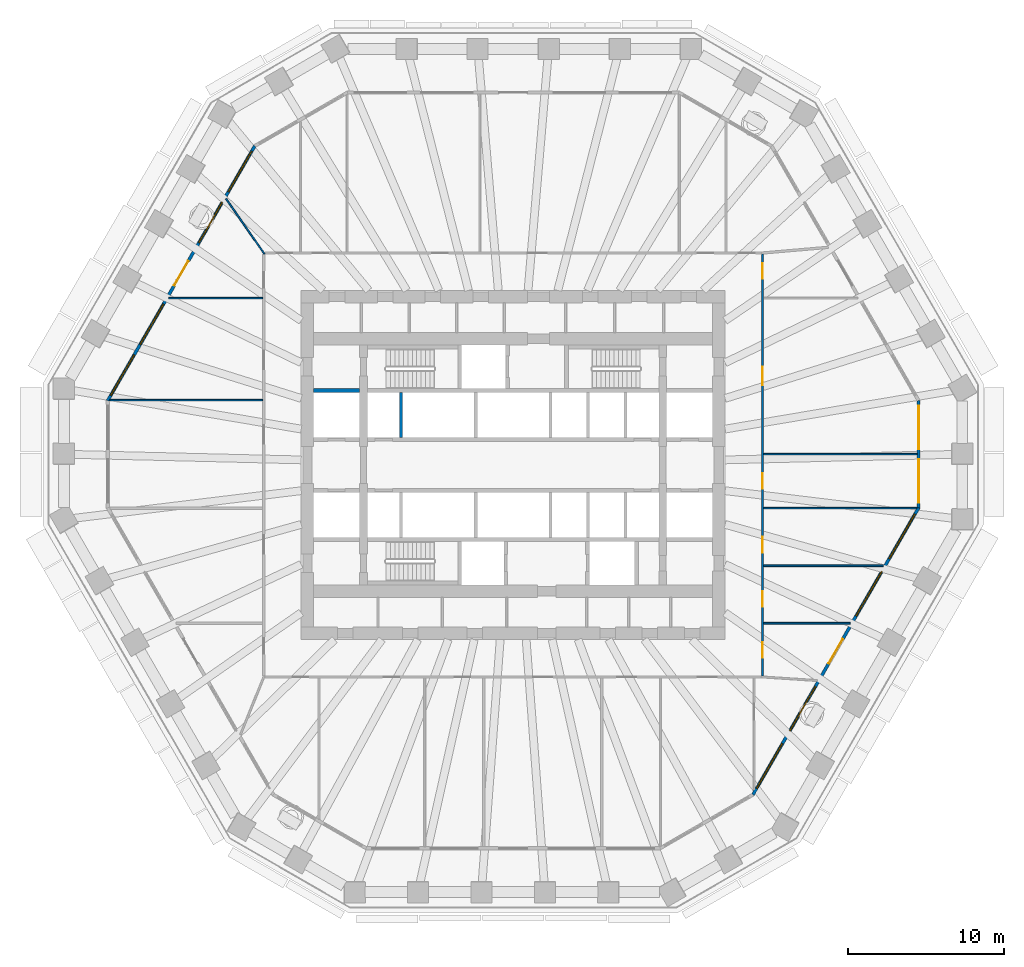
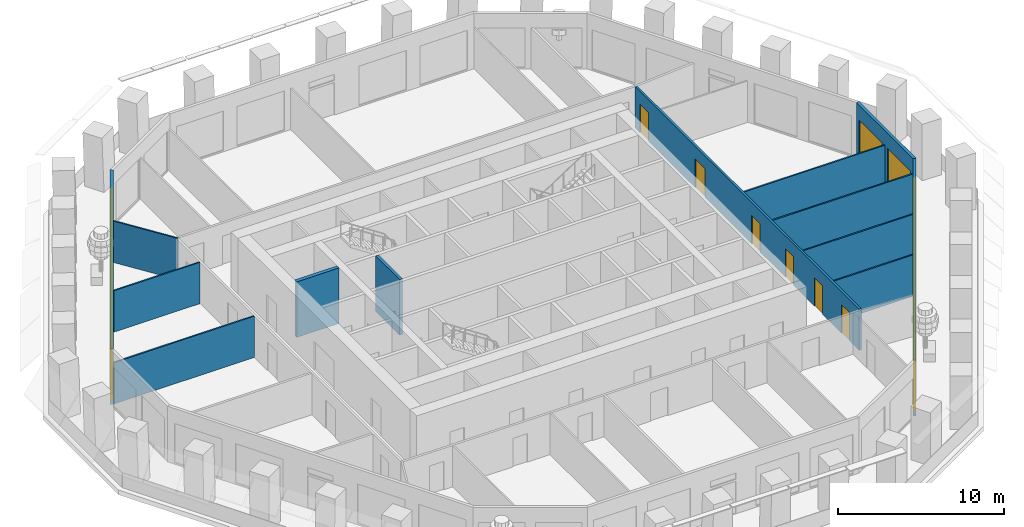
# One storey, part 6 of 13: 13 walls, 12 windows, 8 doors, 20 openings.
"""IFC4 building model written with IfcOpenShell, lengths in metres."""

import ifcopenshell
import ifcopenshell.guid

model = None  # the IFC model being written
_history = None  # IfcOwnerHistory: only IFC2X3 demands one
_inside = {}  # id of a spatial element -> (the spatial element, [elements in it])
_under = {}  # id of a project, library or spatial element -> (it, [spatial elements below it])
_declared = {}  # id of a project -> (the project, [libraries it declares])
_typed = {}  # id of a type object -> (the type object, [elements of that type])
_made_of = {}  # id of a material, layer set ... -> (it, [elements and type objects made of it])


def new_model(schema):
    """Start an empty IFC model of exactly this schema.

    Asked for "IFC4X3", IfcOpenShell would pick the latest addendum, in which some entities
    have other attributes; the version numbers below select the first issue.
    IFC2X3 requires an IfcOwnerHistory on every rooted entity: one is made here for all.
    """
    global model, _history
    if schema == "IFC4X3":
        model = ifcopenshell.file(schema_version=(4, 3, 0, 0))
    else:
        model = ifcopenshell.file(schema=schema)
    _inside.clear()
    _under.clear()
    _declared.clear()
    _typed.clear()
    _made_of.clear()
    _history = None
    if model.schema == "IFC2X3":
        org = make("IfcOrganization", Name="unknown")
        user = make(
            "IfcPersonAndOrganization",
            ThePerson=make("IfcPerson", FamilyName="unknown"),
            TheOrganization=org,
        )
        app = make(
            "IfcApplication",
            ApplicationDeveloper=org,
            Version="unknown",
            ApplicationFullName="unknown",
            ApplicationIdentifier="unknown",
        )
        _history = make(
            "IfcOwnerHistory",
            OwningUser=user,
            OwningApplication=app,
            ChangeAction="ADDED",
            CreationDate=0,
        )
    return model


def make(cls, **values):
    """One entity of the class cls with the attributes given. An attribute that is None is left unset."""
    return model.create_entity(
        cls, **{name: value for name, value in values.items() if value is not None}
    )


def rooted(cls, **values):
    """An entity with a GlobalId (a new one), such as an element, a storey or a relation."""
    return make(cls, GlobalId=ifcopenshell.guid.new(), OwnerHistory=_history, **values)


def si_unit(unit_type, name, prefix=None):
    """IfcSIUnit, for example si_unit("LENGTHUNIT", "METRE", prefix="MILLI")."""
    return make("IfcSIUnit", UnitType=unit_type, Prefix=prefix, Name=name)


def assignment(units):
    """IfcUnitAssignment: the units of a project."""
    return None if units is None else make("IfcUnitAssignment", Units=units)


def point(xyz):
    """IfcCartesianPoint."""
    return None if xyz is None else make("IfcCartesianPoint", Coordinates=xyz)


def direction(xyz):
    """IfcDirection."""
    return None if xyz is None else make("IfcDirection", DirectionRatios=xyz)


def frame(location, z_axis=None, x_axis=None):
    """IfcAxis2Placement3D, a coordinate frame: its origin and axes. An axis left out is left unset."""
    return make(
        "IfcAxis2Placement3D",
        Location=point(location),
        Axis=direction(z_axis),
        RefDirection=direction(x_axis),
    )


def frame_2d(location, x_axis=None):
    """IfcAxis2Placement2D, a coordinate frame in the plane: its origin and x axis."""
    return make(
        "IfcAxis2Placement2D", Location=point(location), RefDirection=direction(x_axis)
    )


def origin():
    """The frame at (0, 0, 0) with its axes left unset."""
    return frame((0.0, 0.0, 0.0))


def place(relative_to, where):
    """IfcLocalPlacement: puts the frame where relative to a parent placement (None: the world)."""
    return make(
        "IfcLocalPlacement", PlacementRelTo=relative_to, RelativePlacement=where
    )


def context(
    kind, dimensions, precision=None, world=None, true_north=None, identifier=None
):
    """IfcGeometricRepresentationContext, for example the 3D "Model" context."""
    return make(
        "IfcGeometricRepresentationContext",
        ContextIdentifier=identifier,
        ContextType=kind,
        CoordinateSpaceDimension=dimensions,
        Precision=precision,
        WorldCoordinateSystem=world,
        TrueNorth=true_north,
    )


def subcontext(parent, identifier, kind, view, scale=None):
    """IfcGeometricRepresentationSubContext, for example "Body" below "Model"."""
    return make(
        "IfcGeometricRepresentationSubContext",
        ContextIdentifier=identifier,
        ContextType=kind,
        ParentContext=parent,
        TargetScale=scale,
        TargetView=view,
    )


def project(units=None, contexts=None):
    """IfcProject with its units and contexts."""
    return rooted(
        "IfcProject",
        Name="project",
        RepresentationContexts=contexts,
        UnitsInContext=assignment(units),
    )


def spatial(cls, under=None, at=None, **own):
    """A site, building, storey or space (cls), placed at a placement, below another one or the project."""
    s = rooted(cls, ObjectPlacement=at, **own)
    if under is not None:
        _under.setdefault(under.id(), (under, []))[1].append(s)
    return s


def polyline(points):
    """IfcPolyline through the points."""
    return make("IfcPolyline", Points=[point(p) for p in points])


def profile(cls, at=None, kind="AREA", **sizes):
    """A parametric profile (cls). Its sizes go by their IFC names, for example OverallWidth=200.0."""
    return make(cls, ProfileType=kind, Position=at, **sizes)


def rectangle(**sizes):
    """IfcRectangleProfileDef."""
    return profile("IfcRectangleProfileDef", **sizes)


def outline(outer, holes=None, kind="AREA"):
    """IfcArbitraryClosedProfileDef: a profile drawn as a closed curve; with holes, ...WithVoids."""
    if holes is None:
        return make("IfcArbitraryClosedProfileDef", ProfileType=kind, OuterCurve=outer)
    return make(
        "IfcArbitraryProfileDefWithVoids",
        ProfileType=kind,
        OuterCurve=outer,
        InnerCurves=holes,
    )


def extrude(swept, where, along, depth):
    """IfcExtrudedAreaSolid: the profile swept, set in the frame where, extruded along a direction by depth."""
    return make(
        "IfcExtrudedAreaSolid",
        SweptArea=swept,
        Position=where,
        ExtrudedDirection=direction(along),
        Depth=depth,
    )


def shape(context_of_items, identifier, shape_type, items):
    """IfcShapeRepresentation: the items that make up one representation, for example the "Body"."""
    return make(
        "IfcShapeRepresentation",
        ContextOfItems=context_of_items,
        RepresentationIdentifier=identifier,
        RepresentationType=shape_type,
        Items=items,
    )


def material(Name=None, Category=None):
    """IfcMaterial."""
    return make("IfcMaterial", Name=Name, Category=Category)


def layer(
    of_material, thickness, ventilated=None, Name=None, Category=None, Priority=None
):
    """IfcMaterialLayer: one layer of a wall or slab, of a material (None: an air gap)."""
    return make(
        "IfcMaterialLayer",
        Material=of_material,
        LayerThickness=thickness,
        IsVentilated=ventilated,
        Name=Name,
        Category=Category,
        Priority=Priority,
    )


def layer_set(layers, Name=None):
    """IfcMaterialLayerSet."""
    return make("IfcMaterialLayerSet", MaterialLayers=layers, LayerSetName=Name)


def made_of(thing, what):
    """Note that an element or type object is made of a material, layer set ...; save() writes the relation."""
    if what is not None:
        _made_of.setdefault(what.id(), (what, []))[1].append(thing)
    return thing


def type_object(cls, material=None, **own):
    """A type object (cls), such as IfcWallType, which elements share."""
    return made_of(rooted(cls, **own), material)


def element(
    cls,
    number,
    at=None,
    inside=None,
    cuts=None,
    type_object=None,
    material=None,
    context=None,
    identifier="Body",
    shape_type=None,
    held_by="IfcProductDefinitionShape",
    body=None,
    shapes=None,
    **own,
):
    """One element of the class cls, such as IfcWall. Its Tag is "e" and its number.

    at: its placement. inside: the storey or other place that contains it. cuts: it is an
    opening in that element (IfcRelVoidsElement). A single representation is given by context,
    identifier, shape_type and body (its items); several are given by shapes. held_by: the class
    of the entity that holds the representations. save() writes the other relations.
    """
    e = rooted(cls, Tag="e%d" % number, ObjectPlacement=at, **own)
    if body is not None:
        shapes = [shape(context, identifier, shape_type, body)]
    if shapes is not None:
        e.Representation = make(held_by, Representations=shapes)
    if inside is not None:
        _inside.setdefault(inside.id(), (inside, []))[1].append(e)
    if cuts is not None:
        rooted(
            "IfcRelVoidsElement", RelatingBuildingElement=cuts, RelatedOpeningElement=e
        )
    if type_object is not None:
        _typed.setdefault(type_object.id(), (type_object, []))[1].append(e)
    return made_of(e, material)


def fill(opening, filler):
    """IfcRelFillsElement: the door or window that sits in an opening."""
    return rooted(
        "IfcRelFillsElement",
        RelatingOpeningElement=opening,
        RelatedBuildingElement=filler,
    )


def aggregate(whole, parts):
    """IfcRelAggregates: a whole, such as a stair, and the parts it consists of."""
    return rooted("IfcRelAggregates", RelatingObject=whole, RelatedObjects=parts)


def save(model, path):
    """Write the relations noted so far, then the file.

    IfcRelAggregates (storeys below a building ...), IfcRelContainedInSpatialStructure (elements
    in a storey), IfcRelDefinesByType, IfcRelAssociatesMaterial and IfcRelDeclares: one each for
    every whole, place, type object, material and project.
    """
    for whole, parts in _under.values():
        aggregate(whole, parts)
    for where, things in _inside.values():
        rooted(
            "IfcRelContainedInSpatialStructure",
            RelatedElements=things,
            RelatingStructure=where,
        )
    for kind, things in _typed.values():
        rooted("IfcRelDefinesByType", RelatedObjects=things, RelatingType=kind)
    for what, things in _made_of.values():
        rooted("IfcRelAssociatesMaterial", RelatedObjects=things, RelatingMaterial=what)
    for by, libraries in _declared.values():
        rooted("IfcRelDeclares", RelatingContext=by, RelatedDefinitions=libraries)
    model.write(path)


model = new_model("IFC4")

# Units and contexts
model_context = context("Model", 3, precision=1e-05, world=origin(), true_north=direction((0.0, 1.0)))
body_context = subcontext(model_context, "Body", "Model", "MODEL_VIEW")
ifc_project = project(units=[si_unit("LENGTHUNIT", "METRE"), si_unit("AREAUNIT", "SQUARE_METRE"), si_unit("VOLUMEUNIT", "CUBIC_METRE"), si_unit("PLANEANGLEUNIT", "RADIAN"), si_unit("MASSUNIT", "GRAM", prefix="KILO")], contexts=[model_context])

# Site, building, storey
site_placement = place(None, origin())
site = spatial("IfcSite", under=ifc_project, at=site_placement, CompositionType="ELEMENT")
building_placement = place(site_placement, origin())
building = spatial("IfcBuilding", under=site, at=building_placement, Name="Frailejon Research Tower", CompositionType="ELEMENT")
storey_placement = place(building_placement, frame((0.0, 0.0, 102.800048828125)))
storey = spatial("IfcBuildingStorey", under=building, at=storey_placement, Name="L22", CompositionType="ELEMENT", Elevation=102.800048828125)

# Wall, openings, doors
ifc_material_1 = material(Name="Gypsum board and masonry partition", Category="masonry")
ifc_layer_1 = layer(ifc_material_1, 0.14990234375)
ifc_layer_set_1 = layer_set([ifc_layer_1], Name="Corridor wall EI 60, gypsum on steel studs 150")
wall_type_1 = type_object("IfcWallType", Name="Corridor wall EI 60, gypsum on steel studs 150", PredefinedType="PARTITIONING", material=ifc_layer_set_1)
wall_1_placement = place(storey_placement, frame((16.0, -13.52490234375, 0.0), z_axis=(0.0, 0.0, 1.0), x_axis=(0.0, 1.0, 0.0)))
wall_1 = element("IfcWall", 1, at=wall_1_placement, inside=storey, type_object=wall_type_1, Name="T:IW:L22:001", PredefinedType="PARTITIONING", context=body_context, shape_type="SweptSolid", body=[
    extrude(rectangle(XDim=27.0498046875, YDim=0.14990234375, at=frame_2d((13.52490234375, 0.0))), origin(), (0.0, 0.0, 1.0), 3.050048828125),
])
opening_1_placement = place(wall_1_placement, frame((18.62451171875, 0.0, 0.0)))
opening_1 = element("IfcOpeningElement", 2, at=opening_1_placement, cuts=wall_1, Name="Opening D1575", PredefinedType="OPENING", context=body_context, shape_type="SweptSolid", body=[
    extrude(rectangle(XDim=1.199951171875, YDim=2.10009765625, at=frame_2d((0.60009765625, 1.050048828125))), frame((0.0, 0.0849609375, 0.0), z_axis=(0.0, -1.0, 0.0), x_axis=(1.0, 0.0, 0.0)), (0.0, 0.0, 1.0), 0.169921875),
])
opening_2_placement = place(wall_1_placement, frame((25.476806640625, 0.0, 0.0)))
opening_2 = element("IfcOpeningElement", 3, at=opening_2_placement, cuts=wall_1, Name="Opening D1576", PredefinedType="OPENING", context=body_context, shape_type="SweptSolid", body=[
    extrude(rectangle(XDim=1.0, YDim=2.10009765625, at=frame_2d((0.5, 1.050048828125))), frame((0.0, 0.0849609375, 0.0), z_axis=(0.0, -1.0, 0.0), x_axis=(1.0, 0.0, 0.0)), (0.0, 0.0, 1.0), 0.169921875),
])
opening_3_placement = place(wall_1_placement, frame((1.147705078125, 0.0, 0.0)))
opening_3 = element("IfcOpeningElement", 4, at=opening_3_placement, cuts=wall_1, Name="Opening D1595", PredefinedType="OPENING", context=body_context, shape_type="SweptSolid", body=[
    extrude(rectangle(XDim=1.0, YDim=2.10009765625, at=frame_2d((0.5, 1.050048828125))), frame((0.0, 0.0849609375, 0.0), z_axis=(0.0, -1.0, 0.0), x_axis=(1.0, 0.0, 0.0)), (0.0, 0.0, 1.0), 0.169921875),
])
opening_4_placement = place(wall_1_placement, frame((4.417236328125, 0.0, 0.0)))
opening_4 = element("IfcOpeningElement", 5, at=opening_4_placement, cuts=wall_1, Name="Opening D1596", PredefinedType="OPENING", context=body_context, shape_type="SweptSolid", body=[
    extrude(rectangle(XDim=1.0, YDim=2.10009765625, at=frame_2d((0.5, 1.050048828125))), frame((0.0, 0.0849609375, 0.0), z_axis=(0.0, -1.0, 0.0), x_axis=(1.0, 0.0, 0.0)), (0.0, 0.0, 1.0), 0.169921875),
])
opening_5_placement = place(wall_1_placement, frame((7.9091796875, 0.0, 0.0)))
opening_5 = element("IfcOpeningElement", 6, at=opening_5_placement, cuts=wall_1, Name="Opening D1597", PredefinedType="OPENING", context=body_context, shape_type="SweptSolid", body=[
    extrude(rectangle(XDim=1.0, YDim=2.10009765625, at=frame_2d((0.5, 1.050048828125))), frame((0.0, 0.0849609375, 0.0), z_axis=(0.0, -1.0, 0.0), x_axis=(1.0, 0.0, 0.0)), (0.0, 0.0, 1.0), 0.169921875),
])
opening_6_placement = place(wall_1_placement, frame((11.984375, 0.0, 0.0)))
opening_6 = element("IfcOpeningElement", 7, at=opening_6_placement, cuts=wall_1, Name="Opening D1598", PredefinedType="OPENING", context=body_context, shape_type="SweptSolid", body=[
    extrude(rectangle(XDim=1.0, YDim=2.10009765625, at=frame_2d((0.5, 1.050048828125))), frame((0.0, 0.0849609375, 0.0), z_axis=(0.0, -1.0, 0.0), x_axis=(1.0, 0.0, 0.0)), (0.0, 0.0, 1.0), 0.169921875),
])
ifc_material_2 = material(Name="Timber door leaf", Category="wood")
door_type_1 = type_object("IfcDoorType", Name="Door single leaf, timber, steel frame 1000", OperationType="NOTDEFINED", PredefinedType="DOOR", material=ifc_material_2)
door_1_placement = place(opening_2_placement, origin())
door_1 = element("IfcDoor", 8, at=door_1_placement, inside=storey, type_object=door_type_1, Name="D1576", OperationType="SINGLE_SWING_LEFT", OverallHeight=2.10009765625, OverallWidth=1.0, PredefinedType="DOOR", context=body_context, shape_type="SweptSolid", body=[
    extrude(rectangle(XDim=1.0, YDim=2.10009765625, at=frame_2d((0.5, 1.050048828125))), frame((0.0, 0.02490234375, 0.0), z_axis=(0.0, -1.0, 0.0), x_axis=(1.0, 0.0, 0.0)), (0.0, 0.0, 1.0), 0.050048828125),
])
fill(opening_2, door_1)
door_2_placement = place(opening_3_placement, origin())
door_2 = element("IfcDoor", 9, at=door_2_placement, inside=storey, type_object=door_type_1, Name="D1595", OperationType="SINGLE_SWING_RIGHT", OverallHeight=2.10009765625, OverallWidth=1.0, PredefinedType="DOOR", context=body_context, shape_type="SweptSolid", body=[
    extrude(rectangle(XDim=1.0, YDim=2.10009765625, at=frame_2d((0.5, 1.050048828125))), frame((0.0, 0.02490234375, 0.0), z_axis=(0.0, -1.0, 0.0), x_axis=(1.0, 0.0, 0.0)), (0.0, 0.0, 1.0), 0.050048828125),
])
fill(opening_3, door_2)
door_3_placement = place(opening_4_placement, origin())
door_3 = element("IfcDoor", 10, at=door_3_placement, inside=storey, type_object=door_type_1, Name="D1596", OperationType="SINGLE_SWING_RIGHT", OverallHeight=2.10009765625, OverallWidth=1.0, PredefinedType="DOOR", context=body_context, shape_type="SweptSolid", body=[
    extrude(rectangle(XDim=1.0, YDim=2.10009765625, at=frame_2d((0.5, 1.050048828125))), frame((0.0, 0.02490234375, 0.0), z_axis=(0.0, -1.0, 0.0), x_axis=(1.0, 0.0, 0.0)), (0.0, 0.0, 1.0), 0.050048828125),
])
fill(opening_4, door_3)
door_4_placement = place(opening_5_placement, origin())
door_4 = element("IfcDoor", 11, at=door_4_placement, inside=storey, type_object=door_type_1, Name="D1597", OperationType="SINGLE_SWING_RIGHT", OverallHeight=2.10009765625, OverallWidth=1.0, PredefinedType="DOOR", context=body_context, shape_type="SweptSolid", body=[
    extrude(rectangle(XDim=1.0, YDim=2.10009765625, at=frame_2d((0.5, 1.050048828125))), frame((0.0, 0.02490234375, 0.0), z_axis=(0.0, -1.0, 0.0), x_axis=(1.0, 0.0, 0.0)), (0.0, 0.0, 1.0), 0.050048828125),
])
fill(opening_5, door_4)
door_5_placement = place(opening_6_placement, origin())
door_5 = element("IfcDoor", 12, at=door_5_placement, inside=storey, type_object=door_type_1, Name="D1598", OperationType="SINGLE_SWING_LEFT", OverallHeight=2.10009765625, OverallWidth=1.0, PredefinedType="DOOR", context=body_context, shape_type="SweptSolid", body=[
    extrude(rectangle(XDim=1.0, YDim=2.10009765625, at=frame_2d((0.5, 1.050048828125))), frame((0.0, 0.02490234375, 0.0), z_axis=(0.0, -1.0, 0.0), x_axis=(1.0, 0.0, 0.0)), (0.0, 0.0, 1.0), 0.050048828125),
])
fill(opening_6, door_5)
ifc_material_3 = material(Name="Timber door leaf", Category="wood")
door_type_2 = type_object("IfcDoorType", Name="Door single leaf, timber, steel frame 1200", OperationType="NOTDEFINED", PredefinedType="DOOR", material=ifc_material_3)
door_6_placement = place(opening_1_placement, origin())
door_6 = element("IfcDoor", 13, at=door_6_placement, inside=storey, type_object=door_type_2, Name="D1575", OperationType="DOUBLE_DOOR_SINGLE_SWING", OverallHeight=2.10009765625, OverallWidth=1.199951171875, PredefinedType="DOOR", context=body_context, shape_type="SweptSolid", body=[
    extrude(rectangle(XDim=1.199951171875, YDim=2.10009765625, at=frame_2d((0.60009765625, 1.050048828125))), frame((0.0, 0.02490234375, 0.0), z_axis=(0.0, -1.0, 0.0), x_axis=(1.0, 0.0, 0.0)), (0.0, 0.0, 1.0), 0.050048828125),
])
fill(opening_1, door_6)

# Walls
ifc_material_4 = material(Name="Gypsum board and masonry partition", Category="masonry")
ifc_layer_2 = layer(ifc_material_4, 0.10009765625)
ifc_layer_set_2 = layer_set([ifc_layer_2], Name="Partition, gypsum on steel studs 100")
wall_type_2 = type_object("IfcWallType", Name="Partition, gypsum on steel studs 100", PredefinedType="PARTITIONING", material=ifc_layer_set_2)
wall_2_placement = place(storey_placement, frame((-22.09814453125, 10.70751953125, 0.0), z_axis=(0.0, 0.0, 1.0), x_axis=(1.0, 0.0, 0.0)))
element("IfcWall", 14, at=wall_2_placement, inside=storey, type_object=wall_type_2, Name="T:IW:L22:011", PredefinedType="PARTITIONING", context=body_context, shape_type="SweptSolid", body=[
    extrude(rectangle(XDim=6.023193359375, YDim=0.10009765625, at=frame_2d((3.01171875, 0.0))), origin(), (0.0, 0.0, 1.0), 3.050048828125),
])
wall_3_placement = place(storey_placement, frame((16.074951171875, 0.69140625, 0.0), z_axis=(0.0, 0.0, 1.0), x_axis=(1.0, 0.0, 0.0)))
element("IfcWall", 15, at=wall_3_placement, inside=storey, type_object=wall_type_2, Name="T:IW:L22:013", PredefinedType="PARTITIONING", context=body_context, shape_type="SweptSolid", body=[
    extrude(rectangle(XDim=9.837158203125, YDim=0.10009765625, at=frame_2d((4.91845703125, 0.0))), origin(), (0.0, 0.0, 1.0), 3.050048828125),
])
wall_4_placement = place(storey_placement, frame((-18.419921875, 17.078369140625, 0.0), z_axis=(0.0, 0.0, 1.0), x_axis=(0.571066146954, -0.820904047866, 0.0)))
element("IfcWall", 16, at=wall_4_placement, inside=storey, type_object=wall_type_2, Name="T:IW:L22:018", PredefinedType="PARTITIONING", context=body_context, shape_type="SweptSolid", body=[
    extrude(rectangle(XDim=4.312255859375, YDim=0.10009765625, at=frame_2d((2.15625, 0.0))), origin(), (0.0, 0.0, 1.0), 3.050048828125),
])
wall_5_placement = place(storey_placement, frame((-25.881103515625, 4.155517578125, 0.0), z_axis=(0.0, 0.0, 1.0), x_axis=(1.0, 0.0, 0.0)))
element("IfcWall", 17, at=wall_5_placement, inside=storey, type_object=wall_type_2, Name="T:IW:L22:019", PredefinedType="PARTITIONING", context=body_context, shape_type="SweptSolid", body=[
    extrude(rectangle(XDim=9.80615234375, YDim=0.10009765625, at=frame_2d((4.903076171875, 0.0))), origin(), (0.0, 0.0, 1.0), 3.050048828125),
])
wall_6_placement = place(storey_placement, frame((16.074951171875, -10.154541015625, 0.0), z_axis=(0.0, 0.0, 1.0), x_axis=(1.0, 0.0, 0.0)))
element("IfcWall", 18, at=wall_6_placement, inside=storey, type_object=wall_type_2, Name="T:IW:L22:026", PredefinedType="PARTITIONING", context=body_context, shape_type="SweptSolid", body=[
    extrude(rectangle(XDim=5.544189453125, YDim=0.10009765625, at=frame_2d((2.77197265625, 0.0))), origin(), (0.0, 0.0, 1.0), 3.050048828125),
])
wall_7_placement = place(storey_placement, frame((16.074951171875, -6.463623046875, 0.0), z_axis=(0.0, 0.0, 1.0), x_axis=(1.0, 0.0, 0.0)))
element("IfcWall", 19, at=wall_7_placement, inside=storey, type_object=wall_type_2, Name="T:IW:L22:027", PredefinedType="PARTITIONING", context=body_context, shape_type="SweptSolid", body=[
    extrude(rectangle(XDim=7.675048828125, YDim=0.10009765625, at=frame_2d((3.83740234375, 0.0))), origin(), (0.0, 0.0, 1.0), 3.050048828125),
])
wall_8_placement = place(storey_placement, frame((16.074951171875, -2.772705078125, 0.0), z_axis=(0.0, 0.0, 1.0), x_axis=(1.0, 0.0, 0.0)))
element("IfcWall", 20, at=wall_8_placement, inside=storey, type_object=wall_type_2, Name="T:IW:L22:028", PredefinedType="PARTITIONING", context=body_context, shape_type="SweptSolid", body=[
    extrude(rectangle(XDim=9.80615234375, YDim=0.10009765625, at=frame_2d((4.903076171875, 0.0))), origin(), (0.0, 0.0, 1.0), 3.050048828125),
])
ifc_material_5 = material(Name="Concrete C70/85", Category="concrete")
ifc_layer_3 = layer(ifc_material_5, 0.199951171875)
ifc_layer_set_3 = layer_set([ifc_layer_3], Name="Shaft wall 200 C70/85")
wall_type_3 = type_object("IfcWallType", Name="Shaft wall 200 C70/85", PredefinedType="SOLIDWALL", material=ifc_layer_set_3)
wall_9_placement = place(storey_placement, frame((-7.199951171875, 1.75, 0.0), z_axis=(0.0, 0.0, 1.0), x_axis=(0.0, 1.0, 0.0)))
element("IfcWall", 21, at=wall_9_placement, inside=storey, type_object=wall_type_3, Name="Shaft wall", PredefinedType="SOLIDWALL", context=body_context, shape_type="SweptSolid", body=[
    extrude(rectangle(XDim=2.89990234375, YDim=0.199951171875, at=frame_2d((1.449951171875, 0.0))), origin(), (0.0, 0.0, 1.0), 4.099853515625),
])
ifc_material_6 = material(Name="Concrete C70/85", Category="concrete")
ifc_layer_4 = layer(ifc_material_6, 0.25)
ifc_layer_set_4 = layer_set([ifc_layer_4], Name="Shaft wall 250 C70/85")
wall_type_4 = type_object("IfcWallType", Name="Shaft wall 250 C70/85", PredefinedType="SOLIDWALL", material=ifc_layer_set_4)
wall_10_placement = place(storey_placement, frame((-12.800048828125, 4.77490234375, 0.0), z_axis=(0.0, 0.0, 1.0), x_axis=(1.0, 0.0, 0.0)))
element("IfcWall", 22, at=wall_10_placement, inside=storey, type_object=wall_type_4, Name="Shaft wall", PredefinedType="SOLIDWALL", context=body_context, shape_type="SweptSolid", body=[
    extrude(rectangle(XDim=2.949951171875, YDim=0.25, at=frame_2d((1.47509765625, 0.0))), origin(), (0.0, 0.0, 1.0), 4.099853515625),
])

# Wall, openings, windows
ifc_material_7 = material(Name="Concrete C40/50 precast window wall panel", Category="concrete")
ifc_layer_5 = layer(ifc_material_7, 0.199951171875)
ifc_layer_set_5 = layer_set([ifc_layer_5], Name="Window wall 200")
wall_type_5 = type_object("IfcWallType", Name="Window wall 200", PredefinedType="SOLIDWALL", material=ifc_layer_set_5)
wall_11_placement = place(storey_placement, frame((26.011962890625, -2.745849609375, 0.0), z_axis=(0.0, 0.0, 1.0), x_axis=(0.0, 1.0, 0.0)))
wall_11 = element("IfcWall", 23, at=wall_11_placement, inside=storey, type_object=wall_type_5, Name="Exterior wall L22", PredefinedType="SOLIDWALL", context=body_context, shape_type="SweptSolid", body=[
    extrude(outline(polyline([(-0.02685546875, -0.10009765625), (1.1279296875, -0.10009765625), (2.282470703125, -0.10009765625), (3.437255859375, -0.10009765625), (4.592041015625, -0.10009765625), (5.74658203125, -0.10009765625), (6.9013671875, -0.10009765625), (6.84765625, 0.10009765625), (5.7109375, 0.10009765625), (4.573974609375, 0.10009765625), (3.437255859375, 0.10009765625), (2.300537109375, 0.10009765625), (1.16357421875, 0.10009765625), (0.02685546875, 0.10009765625), (-0.02685546875, -0.10009765625)])), origin(), (0.0, 0.0, 1.0), 4.099853515625),
])
opening_7_placement = place(wall_11_placement, frame((0.318603515625, 0.0, 0.10009765625)))
opening_7 = element("IfcOpeningElement", 24, at=opening_7_placement, cuts=wall_11, Name="Opening W3", PredefinedType="OPENING", context=body_context, shape_type="SweptSolid", body=[
    extrude(rectangle(XDim=2.800048828125, YDim=2.89990234375, at=frame_2d((1.39990234375, 1.449951171875))), frame((0.0, 0.10986328125, 0.0), z_axis=(0.0, -1.0, 0.0), x_axis=(1.0, 0.0, 0.0)), (0.0, 0.0, 1.0), 0.219970703125),
])
opening_8_placement = place(wall_11_placement, frame((3.756103515625, 0.0, 0.10009765625)))
opening_8 = element("IfcOpeningElement", 25, at=opening_8_placement, cuts=wall_11, Name="Opening W3", PredefinedType="OPENING", context=body_context, shape_type="SweptSolid", body=[
    extrude(rectangle(XDim=2.800048828125, YDim=2.89990234375, at=frame_2d((1.39990234375, 1.449951171875))), frame((0.0, 0.10986328125, 0.0), z_axis=(0.0, -1.0, 0.0), x_axis=(1.0, 0.0, 0.0)), (0.0, 0.0, 1.0), 0.219970703125),
])
ifc_material_8 = material(Name="Aluminium framed double glazing", Category="aluminium")
window_type_1 = type_object("IfcWindowType", Name="Window 2800x2900", PartitioningType="SINGLE_PANEL", PredefinedType="WINDOW", material=ifc_material_8)
window_1_placement = place(opening_7_placement, origin())
window_1 = element("IfcWindow", 26, at=window_1_placement, inside=storey, type_object=window_type_1, Name="Window L22", OverallHeight=2.89990234375, OverallWidth=2.800048828125, PartitioningType="SINGLE_PANEL", PredefinedType="WINDOW", context=body_context, shape_type="SweptSolid", body=[
    extrude(rectangle(XDim=2.800048828125, YDim=2.89990234375, at=frame_2d((1.39990234375, 1.449951171875))), frame((0.0, 0.030029296875, 0.0), z_axis=(0.0, -1.0, 0.0), x_axis=(1.0, 0.0, 0.0)), (0.0, 0.0, 1.0), 0.06005859375),
])
fill(opening_7, window_1)
window_2_placement = place(opening_8_placement, origin())
window_2 = element("IfcWindow", 27, at=window_2_placement, inside=storey, type_object=window_type_1, Name="Window L22", OverallHeight=2.89990234375, OverallWidth=2.800048828125, PartitioningType="SINGLE_PANEL", PredefinedType="WINDOW", context=body_context, shape_type="SweptSolid", body=[
    extrude(rectangle(XDim=2.800048828125, YDim=2.89990234375, at=frame_2d((1.39990234375, 1.449951171875))), frame((0.0, 0.030029296875, 0.0), z_axis=(0.0, -1.0, 0.0), x_axis=(1.0, 0.0, 0.0)), (0.0, 0.0, 1.0), 0.06005859375),
])
fill(opening_8, window_2)

# Wall, openings, door, windows
wall_12_placement = place(storey_placement, frame((-16.58154296875, 20.462646484375, 0.0), z_axis=(0.0, 0.0, 1.0), x_axis=(-0.499999588275, -0.866025641494, 0.0)))
wall_12 = element("IfcWall", 28, at=wall_12_placement, inside=storey, type_object=wall_type_5, Name="Exterior wall L22", PredefinedType="SOLIDWALL", context=body_context, shape_type="SweptSolid", body=[
    extrude(outline(polyline([(-0.02685546875, -0.10009765625), (1.02392578125, -0.10009765625), (2.07470703125, -0.10009765625), (3.12548828125, -0.10009765625), (4.17626953125, -0.10009765625), (5.227294921875, -0.10009765625), (6.278076171875, -0.10009765625), (7.328857421875, -0.10009765625), (8.379638671875, -0.10009765625), (9.430419921875, -0.10009765625), (10.481201171875, -0.10009765625), (11.531982421875, -0.10009765625), (12.582763671875, -0.10009765625), (13.633544921875, -0.10009765625), (14.6845703125, -0.10009765625), (15.7353515625, -0.10009765625), (16.7861328125, -0.10009765625), (17.8369140625, -0.10009765625), (18.8876953125, -0.10009765625), (18.833984375, 0.10009765625), (17.7890625, 0.10009765625), (16.744384765625, 0.10009765625), (15.699462890625, 0.10009765625), (14.654541015625, 0.10009765625), (13.60986328125, 0.10009765625), (12.56494140625, 0.10009765625), (11.52001953125, 0.10009765625), (10.475341796875, 0.10009765625), (9.430419921875, 0.10009765625), (8.385498046875, 0.10009765625), (7.3408203125, 0.10009765625), (6.2958984375, 0.10009765625), (5.2509765625, 0.10009765625), (4.206298828125, 0.10009765625), (3.161376953125, 0.10009765625), (2.116455078125, 0.10009765625), (1.07177734375, 0.10009765625), (0.02685546875, 0.10009765625), (-0.02685546875, -0.10009765625)])), origin(), (0.0, 0.0, 1.0), 4.099853515625),
])
opening_9_placement = place(wall_12_placement, frame((0.385986328125, 0.0, 0.10009765625)))
opening_9 = element("IfcOpeningElement", 29, at=opening_9_placement, cuts=wall_12, Name="Opening W4", PredefinedType="OPENING", context=body_context, shape_type="SweptSolid", body=[
    extrude(rectangle(XDim=3.0, YDim=2.89990234375, at=frame_2d((1.5, 1.449951171875))), frame((0.0, 0.10986328125, 0.0), z_axis=(0.0, -1.0, 0.0), x_axis=(1.0, 0.0, 0.0)), (0.0, 0.0, 1.0), 0.219970703125),
])
opening_10_placement = place(wall_12_placement, frame((4.158203125, 0.0, 0.10009765625)))
opening_10 = element("IfcOpeningElement", 30, at=opening_10_placement, cuts=wall_12, Name="Opening W4", PredefinedType="OPENING", context=body_context, shape_type="SweptSolid", body=[
    extrude(rectangle(XDim=3.0, YDim=2.89990234375, at=frame_2d((1.5, 1.449951171875))), frame((0.0, 0.10986328125, 0.0), z_axis=(0.0, -1.0, 0.0), x_axis=(1.0, 0.0, 0.0)), (0.0, 0.0, 1.0), 0.219970703125),
])
opening_11_placement = place(wall_12_placement, frame((8.530517578125, 0.0, 0.0)))
opening_11 = element("IfcOpeningElement", 31, at=opening_11_placement, cuts=wall_12, Name="Opening LG22-3", PredefinedType="OPENING", context=body_context, shape_type="SweptSolid", body=[
    extrude(rectangle(XDim=1.800048828125, YDim=2.39990234375, at=frame_2d((0.89990234375, 1.199951171875))), frame((0.0, 0.10986328125, 0.0), z_axis=(0.0, -1.0, 0.0), x_axis=(1.0, 0.0, 0.0)), (0.0, 0.0, 1.0), 0.219970703125),
])
opening_12_placement = place(wall_12_placement, frame((8.530517578125, 0.0, 2.550048828125)))
opening_12 = element("IfcOpeningElement", 32, at=opening_12_placement, cuts=wall_12, Name="Opening W1", PredefinedType="OPENING", context=body_context, shape_type="SweptSolid", body=[
    extrude(rectangle(XDim=1.800048828125, YDim=0.449951171875, at=frame_2d((0.89990234375, 0.22509765625))), frame((0.0, 0.10986328125, 0.0), z_axis=(0.0, -1.0, 0.0), x_axis=(1.0, 0.0, 0.0)), (0.0, 0.0, 1.0), 0.219970703125),
])
opening_13_placement = place(wall_12_placement, frame((11.70263671875, 0.0, 0.10009765625)))
opening_13 = element("IfcOpeningElement", 33, at=opening_13_placement, cuts=wall_12, Name="Opening W4", PredefinedType="OPENING", context=body_context, shape_type="SweptSolid", body=[
    extrude(rectangle(XDim=3.0, YDim=2.89990234375, at=frame_2d((1.5, 1.449951171875))), frame((0.0, 0.10986328125, 0.0), z_axis=(0.0, -1.0, 0.0), x_axis=(1.0, 0.0, 0.0)), (0.0, 0.0, 1.0), 0.219970703125),
])
opening_14_placement = place(wall_12_placement, frame((15.474853515625, 0.0, 0.10009765625)))
opening_14 = element("IfcOpeningElement", 34, at=opening_14_placement, cuts=wall_12, Name="Opening W4", PredefinedType="OPENING", context=body_context, shape_type="SweptSolid", body=[
    extrude(rectangle(XDim=3.0, YDim=2.89990234375, at=frame_2d((1.5, 1.449951171875))), frame((0.0, 0.10986328125, 0.0), z_axis=(0.0, -1.0, 0.0), x_axis=(1.0, 0.0, 0.0)), (0.0, 0.0, 1.0), 0.219970703125),
])
ifc_material_9 = material(Name="Aluminium framed glazed door leaf", Category="aluminium")
door_type_3 = type_object("IfcDoorType", Name="Loggia door 1800x2400", OperationType="DOUBLE_DOOR_SINGLE_SWING", PredefinedType="DOOR", material=ifc_material_9)
door_7_placement = place(opening_11_placement, origin())
door_7 = element("IfcDoor", 35, at=door_7_placement, inside=storey, type_object=door_type_3, Name="Door LG22-3", OperationType="DOUBLE_DOOR_SINGLE_SWING", OverallHeight=2.39990234375, OverallWidth=1.800048828125, PredefinedType="DOOR", context=body_context, shape_type="SweptSolid", body=[
    extrude(rectangle(XDim=1.800048828125, YDim=2.39990234375, at=frame_2d((0.89990234375, 1.199951171875))), frame((0.0, 0.02490234375, 0.0), z_axis=(0.0, -1.0, 0.0), x_axis=(1.0, 0.0, 0.0)), (0.0, 0.0, 1.0), 0.050048828125),
])
fill(opening_11, door_7)
ifc_material_10 = material(Name="Aluminium framed double glazing", Category="aluminium")
window_type_2 = type_object("IfcWindowType", Name="Window 1800x450", PartitioningType="SINGLE_PANEL", PredefinedType="WINDOW", material=ifc_material_10)
window_3_placement = place(opening_12_placement, origin())
window_3 = element("IfcWindow", 36, at=window_3_placement, inside=storey, type_object=window_type_2, Name="Window L22", OverallHeight=0.449951171875, OverallWidth=1.800048828125, PartitioningType="SINGLE_PANEL", PredefinedType="WINDOW", context=body_context, shape_type="SweptSolid", body=[
    extrude(rectangle(XDim=1.800048828125, YDim=0.449951171875, at=frame_2d((0.89990234375, 0.22509765625))), frame((0.0, 0.030029296875, 0.0), z_axis=(0.0, -1.0, 0.0), x_axis=(1.0, 0.0, 0.0)), (0.0, 0.0, 1.0), 0.06005859375),
])
fill(opening_12, window_3)
ifc_material_11 = material(Name="Aluminium framed double glazing", Category="aluminium")
window_type_3 = type_object("IfcWindowType", Name="Window 3000x2900", PartitioningType="SINGLE_PANEL", PredefinedType="WINDOW", material=ifc_material_11)
window_4_placement = place(opening_9_placement, origin())
window_4 = element("IfcWindow", 37, at=window_4_placement, inside=storey, type_object=window_type_3, Name="Window L22", OverallHeight=2.89990234375, OverallWidth=3.0, PartitioningType="SINGLE_PANEL", PredefinedType="WINDOW", context=body_context, shape_type="SweptSolid", body=[
    extrude(rectangle(XDim=3.0, YDim=2.89990234375, at=frame_2d((1.5, 1.449951171875))), frame((0.0, 0.030029296875, 0.0), z_axis=(0.0, -1.0, 0.0), x_axis=(1.0, 0.0, 0.0)), (0.0, 0.0, 1.0), 0.06005859375),
])
fill(opening_9, window_4)
window_5_placement = place(opening_10_placement, origin())
window_5 = element("IfcWindow", 38, at=window_5_placement, inside=storey, type_object=window_type_3, Name="Window L22", OverallHeight=2.89990234375, OverallWidth=3.0, PartitioningType="SINGLE_PANEL", PredefinedType="WINDOW", context=body_context, shape_type="SweptSolid", body=[
    extrude(rectangle(XDim=3.0, YDim=2.89990234375, at=frame_2d((1.5, 1.449951171875))), frame((0.0, 0.030029296875, 0.0), z_axis=(0.0, -1.0, 0.0), x_axis=(1.0, 0.0, 0.0)), (0.0, 0.0, 1.0), 0.06005859375),
])
fill(opening_10, window_5)
window_6_placement = place(opening_13_placement, origin())
window_6 = element("IfcWindow", 39, at=window_6_placement, inside=storey, type_object=window_type_3, Name="Window L22", OverallHeight=2.89990234375, OverallWidth=3.0, PartitioningType="SINGLE_PANEL", PredefinedType="WINDOW", context=body_context, shape_type="SweptSolid", body=[
    extrude(rectangle(XDim=3.0, YDim=2.89990234375, at=frame_2d((1.5, 1.449951171875))), frame((0.0, 0.030029296875, 0.0), z_axis=(0.0, -1.0, 0.0), x_axis=(1.0, 0.0, 0.0)), (0.0, 0.0, 1.0), 0.06005859375),
])
fill(opening_13, window_6)
window_7_placement = place(opening_14_placement, origin())
window_7 = element("IfcWindow", 40, at=window_7_placement, inside=storey, type_object=window_type_3, Name="Window L22", OverallHeight=2.89990234375, OverallWidth=3.0, PartitioningType="SINGLE_PANEL", PredefinedType="WINDOW", context=body_context, shape_type="SweptSolid", body=[
    extrude(rectangle(XDim=3.0, YDim=2.89990234375, at=frame_2d((1.5, 1.449951171875))), frame((0.0, 0.030029296875, 0.0), z_axis=(0.0, -1.0, 0.0), x_axis=(1.0, 0.0, 0.0)), (0.0, 0.0, 1.0), 0.06005859375),
])
fill(opening_14, window_7)

wall_13_placement = place(storey_placement, frame((15.384033203125, -21.154052734375, 0.0), z_axis=(0.0, 0.0, 1.0), x_axis=(0.499998188434, 0.86602644969, 0.0)))
wall_13 = element("IfcWall", 41, at=wall_13_placement, inside=storey, type_object=wall_type_5, Name="Exterior wall L22", PredefinedType="SOLIDWALL", context=body_context, shape_type="SweptSolid", body=[
    extrude(outline(polyline([(-0.02685546875, -0.10009765625), (0.98779296875, -0.10009765625), (2.002685546875, -0.10009765625), (3.017333984375, -0.10009765625), (4.0322265625, -0.10009765625), (5.046875, -0.10009765625), (6.0615234375, -0.10009765625), (7.076416015625, -0.10009765625), (8.091064453125, -0.10009765625), (9.105712890625, -0.10009765625), (10.12060546875, -0.10009765625), (11.13525390625, -0.10009765625), (12.150146484375, -0.10009765625), (13.164794921875, -0.10009765625), (14.179443359375, -0.10009765625), (15.1943359375, -0.10009765625), (16.208984375, -0.10009765625), (17.2236328125, -0.10009765625), (18.238525390625, -0.10009765625), (19.253173828125, -0.10009765625), (20.26806640625, -0.10009765625), (21.28271484375, -0.10009765625), (21.22900390625, 0.10009765625), (20.219482421875, 0.10009765625), (19.209716796875, 0.10009765625), (18.2001953125, 0.10009765625), (17.1904296875, 0.10009765625), (16.180908203125, 0.10009765625), (15.171142578125, 0.10009765625), (14.16162109375, 0.10009765625), (13.152099609375, 0.10009765625), (12.142333984375, 0.10009765625), (11.1328125, 0.10009765625), (10.123046875, 0.10009765625), (9.113525390625, 0.10009765625), (8.103759765625, 0.10009765625), (7.09423828125, 0.10009765625), (6.084716796875, 0.10009765625), (5.074951171875, 0.10009765625), (4.0654296875, 0.10009765625), (3.0556640625, 0.10009765625), (2.046142578125, 0.10009765625), (1.036376953125, 0.10009765625), (0.02685546875, 0.10009765625), (-0.02685546875, -0.10009765625)])), origin(), (0.0, 0.0, 1.0), 4.099853515625),
])
opening_15_placement = place(wall_13_placement, frame((0.4755859375, 0.0, 0.10009765625)))
opening_15 = element("IfcOpeningElement", 42, at=opening_15_placement, cuts=wall_13, Name="Opening W5", PredefinedType="OPENING", context=body_context, shape_type="SweptSolid", body=[
    extrude(rectangle(XDim=3.300048828125, YDim=2.89990234375, at=frame_2d((1.64990234375, 1.449951171875))), frame((0.0, 0.10986328125, 0.0), z_axis=(0.0, -1.0, 0.0), x_axis=(1.0, 0.0, 0.0)), (0.0, 0.0, 1.0), 0.219970703125),
])
opening_16_placement = place(wall_13_placement, frame((4.726806640625, 0.0, 0.10009765625)))
opening_16 = element("IfcOpeningElement", 43, at=opening_16_placement, cuts=wall_13, Name="Opening W5", PredefinedType="OPENING", context=body_context, shape_type="SweptSolid", body=[
    extrude(rectangle(XDim=3.300048828125, YDim=2.89990234375, at=frame_2d((1.64990234375, 1.449951171875))), frame((0.0, 0.10986328125, 0.0), z_axis=(0.0, -1.0, 0.0), x_axis=(1.0, 0.0, 0.0)), (0.0, 0.0, 1.0), 0.219970703125),
])
opening_17_placement = place(wall_13_placement, frame((9.727783203125, 0.0, 0.0)))
opening_17 = element("IfcOpeningElement", 44, at=opening_17_placement, cuts=wall_13, Name="Opening LG22-6", PredefinedType="OPENING", context=body_context, shape_type="SweptSolid", body=[
    extrude(rectangle(XDim=1.800048828125, YDim=2.39990234375, at=frame_2d((0.89990234375, 1.199951171875))), frame((0.0, 0.10986328125, 0.0), z_axis=(0.0, -1.0, 0.0), x_axis=(1.0, 0.0, 0.0)), (0.0, 0.0, 1.0), 0.219970703125),
])
opening_18_placement = place(wall_13_placement, frame((9.727783203125, 0.0, 2.550048828125)))
opening_18 = element("IfcOpeningElement", 45, at=opening_18_placement, cuts=wall_13, Name="Opening W1", PredefinedType="OPENING", context=body_context, shape_type="SweptSolid", body=[
    extrude(rectangle(XDim=1.800048828125, YDim=0.449951171875, at=frame_2d((0.89990234375, 0.22509765625))), frame((0.0, 0.10986328125, 0.0), z_axis=(0.0, -1.0, 0.0), x_axis=(1.0, 0.0, 0.0)), (0.0, 0.0, 1.0), 0.219970703125),
])
opening_19_placement = place(wall_13_placement, frame((13.22900390625, 0.0, 0.10009765625)))
opening_19 = element("IfcOpeningElement", 46, at=opening_19_placement, cuts=wall_13, Name="Opening W5", PredefinedType="OPENING", context=body_context, shape_type="SweptSolid", body=[
    extrude(rectangle(XDim=3.300048828125, YDim=2.89990234375, at=frame_2d((1.64990234375, 1.449951171875))), frame((0.0, 0.10986328125, 0.0), z_axis=(0.0, -1.0, 0.0), x_axis=(1.0, 0.0, 0.0)), (0.0, 0.0, 1.0), 0.219970703125),
])
opening_20_placement = place(wall_13_placement, frame((17.480224609375, 0.0, 0.10009765625)))
opening_20 = element("IfcOpeningElement", 47, at=opening_20_placement, cuts=wall_13, Name="Opening W5", PredefinedType="OPENING", context=body_context, shape_type="SweptSolid", body=[
    extrude(rectangle(XDim=3.300048828125, YDim=2.89990234375, at=frame_2d((1.64990234375, 1.449951171875))), frame((0.0, 0.10986328125, 0.0), z_axis=(0.0, -1.0, 0.0), x_axis=(1.0, 0.0, 0.0)), (0.0, 0.0, 1.0), 0.219970703125),
])
door_8_placement = place(opening_17_placement, origin())
door_8 = element("IfcDoor", 48, at=door_8_placement, inside=storey, type_object=door_type_3, Name="Door LG22-6", OperationType="DOUBLE_DOOR_SINGLE_SWING", OverallHeight=2.39990234375, OverallWidth=1.800048828125, PredefinedType="DOOR", context=body_context, shape_type="SweptSolid", body=[
    extrude(rectangle(XDim=1.800048828125, YDim=2.39990234375, at=frame_2d((0.89990234375, 1.199951171875))), frame((0.0, 0.02490234375, 0.0), z_axis=(0.0, -1.0, 0.0), x_axis=(1.0, 0.0, 0.0)), (0.0, 0.0, 1.0), 0.050048828125),
])
fill(opening_17, door_8)
window_8_placement = place(opening_18_placement, origin())
window_8 = element("IfcWindow", 49, at=window_8_placement, inside=storey, type_object=window_type_2, Name="Window L22", OverallHeight=0.449951171875, OverallWidth=1.800048828125, PartitioningType="SINGLE_PANEL", PredefinedType="WINDOW", context=body_context, shape_type="SweptSolid", body=[
    extrude(rectangle(XDim=1.800048828125, YDim=0.449951171875, at=frame_2d((0.89990234375, 0.22509765625))), frame((0.0, 0.030029296875, 0.0), z_axis=(0.0, -1.0, 0.0), x_axis=(1.0, 0.0, 0.0)), (0.0, 0.0, 1.0), 0.06005859375),
])
fill(opening_18, window_8)
ifc_material_12 = material(Name="Aluminium framed double glazing", Category="aluminium")
window_type_4 = type_object("IfcWindowType", Name="Window 3300x2900", PartitioningType="SINGLE_PANEL", PredefinedType="WINDOW", material=ifc_material_12)
window_9_placement = place(opening_15_placement, origin())
window_9 = element("IfcWindow", 50, at=window_9_placement, inside=storey, type_object=window_type_4, Name="Window L22", OverallHeight=2.89990234375, OverallWidth=3.300048828125, PartitioningType="SINGLE_PANEL", PredefinedType="WINDOW", context=body_context, shape_type="SweptSolid", body=[
    extrude(rectangle(XDim=3.300048828125, YDim=2.89990234375, at=frame_2d((1.64990234375, 1.449951171875))), frame((0.0, 0.030029296875, 0.0), z_axis=(0.0, -1.0, 0.0), x_axis=(1.0, 0.0, 0.0)), (0.0, 0.0, 1.0), 0.06005859375),
])
fill(opening_15, window_9)
window_10_placement = place(opening_16_placement, origin())
window_10 = element("IfcWindow", 51, at=window_10_placement, inside=storey, type_object=window_type_4, Name="Window L22", OverallHeight=2.89990234375, OverallWidth=3.300048828125, PartitioningType="SINGLE_PANEL", PredefinedType="WINDOW", context=body_context, shape_type="SweptSolid", body=[
    extrude(rectangle(XDim=3.300048828125, YDim=2.89990234375, at=frame_2d((1.64990234375, 1.449951171875))), frame((0.0, 0.030029296875, 0.0), z_axis=(0.0, -1.0, 0.0), x_axis=(1.0, 0.0, 0.0)), (0.0, 0.0, 1.0), 0.06005859375),
])
fill(opening_16, window_10)
window_11_placement = place(opening_19_placement, origin())
window_11 = element("IfcWindow", 52, at=window_11_placement, inside=storey, type_object=window_type_4, Name="Window L22", OverallHeight=2.89990234375, OverallWidth=3.300048828125, PartitioningType="SINGLE_PANEL", PredefinedType="WINDOW", context=body_context, shape_type="SweptSolid", body=[
    extrude(rectangle(XDim=3.300048828125, YDim=2.89990234375, at=frame_2d((1.64990234375, 1.449951171875))), frame((0.0, 0.030029296875, 0.0), z_axis=(0.0, -1.0, 0.0), x_axis=(1.0, 0.0, 0.0)), (0.0, 0.0, 1.0), 0.06005859375),
])
fill(opening_19, window_11)
window_12_placement = place(opening_20_placement, origin())
window_12 = element("IfcWindow", 53, at=window_12_placement, inside=storey, type_object=window_type_4, Name="Window L22", OverallHeight=2.89990234375, OverallWidth=3.300048828125, PartitioningType="SINGLE_PANEL", PredefinedType="WINDOW", context=body_context, shape_type="SweptSolid", body=[
    extrude(rectangle(XDim=3.300048828125, YDim=2.89990234375, at=frame_2d((1.64990234375, 1.449951171875))), frame((0.0, 0.030029296875, 0.0), z_axis=(0.0, -1.0, 0.0), x_axis=(1.0, 0.0, 0.0)), (0.0, 0.0, 1.0), 0.06005859375),
])
fill(opening_20, window_12)

save(model, "model.ifc")
